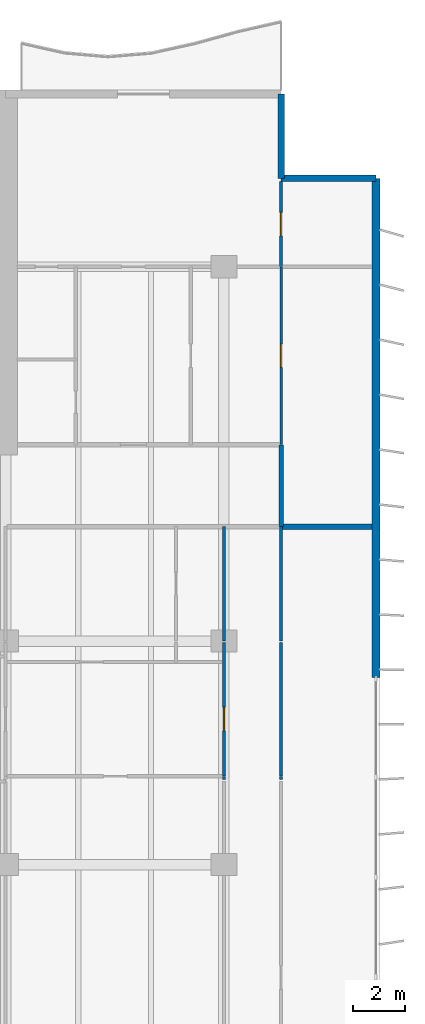
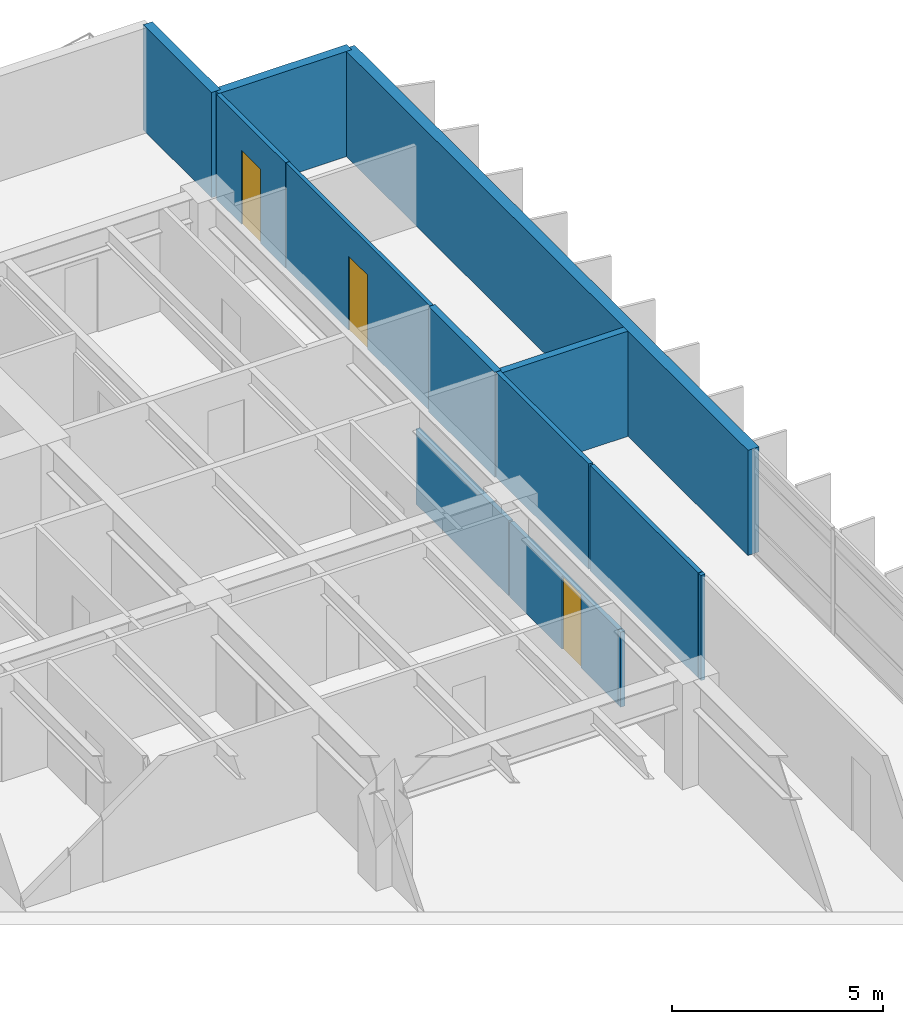
# One storey, part 14 of 19: 13 walls, 3 doors, 3 openings.
"""IFC4 building model written with IfcOpenShell, lengths in metres."""

from ifc_helpers import new_model, si_unit, direction, frame, frame_2d, origin, place, context, subcontext, project, spatial, rectangle, extrude, material, layer, layer_set, type_object, element, fill, save


model = new_model("IFC4")

# Units and contexts
model_context = context("Model", 3, precision=1e-05, world=origin(), true_north=direction((0.0, 1.0)))
body_context = subcontext(model_context, "Body", "Model", "MODEL_VIEW")
ifc_project = project(units=[si_unit("LENGTHUNIT", "METRE"), si_unit("AREAUNIT", "SQUARE_METRE"), si_unit("VOLUMEUNIT", "CUBIC_METRE"), si_unit("PLANEANGLEUNIT", "RADIAN"), si_unit("MASSUNIT", "GRAM", prefix="KILO")], contexts=[model_context])

# Site, building, storey
site_placement = place(None, origin())
site = spatial("IfcSite", under=ifc_project, at=site_placement, CompositionType="ELEMENT")
building_placement = place(site_placement, origin())
building = spatial("IfcBuilding", under=site, at=building_placement, Name="Caelmar Bay Residences", CompositionType="ELEMENT")
storey_placement = place(building_placement, frame((0.0, 0.0, 91.199951171875)))
storey = spatial("IfcBuildingStorey", under=building, at=storey_placement, Name="L24", CompositionType="ELEMENT", Elevation=91.199951171875)

# Walls
ifc_material_1 = material(Name="Double-stud acoustic fire-rated gypsum partition 180 mm")
ifc_layer_1 = layer(ifc_material_1, 0.179931640625)
ifc_layer_set_1 = layer_set([ifc_layer_1], Name="Double-stud acoustic fire-rated gypsum partition 180 mm")
wall_type_1 = type_object("IfcWallType", Name="W-COR-200", PredefinedType="PARTITIONING", material=ifc_layer_set_1)
wall_1_placement = place(storey_placement, frame((70.10009765625, 33.804931640625, 0.0), z_axis=(0.0, 0.0, 1.0), x_axis=(0.0, 1.0, 0.0)))
element("IfcWall", 1, at=wall_1_placement, inside=storey, type_object=wall_type_1, Name="L24 Partition Wall V096", PredefinedType="PARTITIONING", context=body_context, shape_type="SweptSolid", body=[
    extrude(rectangle(XDim=3.14501953125, YDim=0.179931640625, at=frame_2d((1.572509765625, 0.0))), origin(), (0.0, 0.0, 1.0), 3.050048828125),
])
ifc_material_2 = material(Name="Precast concrete f'c 40 MPa (6,000 psi)", Category="concrete")
ifc_layer_2 = layer(ifc_material_2, 0.25)
ifc_layer_set_2 = layer_set([ifc_layer_2], Name="Precast concrete f'c 40 MPa (6,000 psi)")
wall_type_2 = type_object("IfcWallType", Name="W-EXT-250", PredefinedType="ELEMENTEDWALL", material=ifc_layer_set_2)
wall_2_placement = place(storey_placement, frame((70.10009765625, 50.449951171875, 0.0), z_axis=(0.0, 0.0, 1.0), x_axis=(0.0, -1.0, 0.0)))
element("IfcWall", 2, at=wall_2_placement, inside=storey, type_object=wall_type_2, Name="L24 NNE-V Notch Wall", PredefinedType="ELEMENTEDWALL", context=body_context, shape_type="SweptSolid", body=[
    extrude(rectangle(XDim=3.25, YDim=0.25, at=frame_2d((1.625, 0.0))), origin(), (0.0, 0.0, 1.0), 3.050048828125),
])
wall_3_placement = place(storey_placement, frame((70.10009765625, 47.199951171875, 0.0), z_axis=(0.0, 0.0, 1.0), x_axis=(1.0, 0.0, 0.0)))
element("IfcWall", 3, at=wall_3_placement, inside=storey, type_object=wall_type_2, Name="L24 NNE-H Notch Wall", PredefinedType="ELEMENTEDWALL", context=body_context, shape_type="SweptSolid", body=[
    extrude(rectangle(XDim=3.64990234375, YDim=0.25, at=frame_2d((1.824951171875, 0.0))), origin(), (0.0, 0.0, 1.0), 3.050048828125),
])
ifc_layer_3 = layer(ifc_material_2, 0.300048828125)
ifc_layer_set_3 = layer_set([ifc_layer_3], Name="Precast concrete f'c 40 MPa (6,000 psi)")
wall_type_3 = type_object("IfcWallType", Name="W-EXT-300", PredefinedType="STANDARD", material=ifc_layer_set_3)
wall_4_placement = place(storey_placement, frame((73.75, 47.199951171875, 0.0), z_axis=(0.0, 0.0, 1.0), x_axis=(0.0, -1.0, 0.0)))
element("IfcWall", 4, at=wall_4_placement, inside=storey, type_object=wall_type_3, Name="L24 East Rear Exterior Wall", PredefinedType="STANDARD", context=body_context, shape_type="SweptSolid", body=[
    extrude(rectangle(XDim=19.199951171875, YDim=0.300048828125, at=frame_2d((9.60009765625, 0.0))), origin(), (0.0, 0.0, 1.0), 3.050048828125),
])

# Wall, opening, door
ifc_material_3 = material(Name="Anodised bronze framed acoustic sliding study partition 100 mm")
ifc_layer_4 = layer(ifc_material_3, 0.10009765625)
ifc_layer_set_4 = layer_set([ifc_layer_4], Name="Anodised bronze framed acoustic sliding study partition 100 mm")
wall_type_4 = type_object("IfcWallType", Name="W-MOV-100", PredefinedType="MOVABLE", material=ifc_layer_set_4)
wall_5_placement = place(storey_placement, frame((70.10009765625, 36.955078125, 0.0), z_axis=(0.0, 0.0, 1.0), x_axis=(0.0, 1.0, 0.0)))
wall_5 = element("IfcWall", 5, at=wall_5_placement, inside=storey, type_object=wall_type_4, Name="L24 Partition Wall V097", PredefinedType="MOVABLE", context=body_context, shape_type="SweptSolid", body=[
    extrude(rectangle(XDim=6.844970703125, YDim=0.10009765625, at=frame_2d((3.42236328125, 0.0))), origin(), (0.0, 0.0, 1.0), 3.050048828125),
])
opening_1_placement = place(wall_5_placement, frame((2.972412109375, 0.0, 0.0)))
opening_1 = element("IfcOpeningElement", 6, at=opening_1_placement, cuts=wall_5, Name="Opening D-L24-176", PredefinedType="OPENING", context=body_context, shape_type="SweptSolid", body=[
    extrude(rectangle(XDim=0.89990234375, YDim=2.14990234375, at=frame_2d((0.449951171875, 1.074951171875))), frame((0.0, 0.06005859375, 0.0), z_axis=(0.0, -1.0, 0.0), x_axis=(1.0, 0.0, 0.0)), (0.0, 0.0, 1.0), 0.1201171875),
])
ifc_material_4 = material(Name="Solid walnut timber interior door leaf and frame", Category="wood")
ifc_layer_5 = layer(ifc_material_4, 0.050048828125)
ifc_layer_set_5 = layer_set([ifc_layer_5], Name="Solid walnut timber interior door leaf and frame")
door_type = type_object("IfcDoorType", Name="D-ROOM-900", OperationType="NOTDEFINED", PredefinedType="DOOR", material=ifc_layer_set_5)
door_1_placement = place(opening_1_placement, origin())
door_1 = element("IfcDoor", 7, at=door_1_placement, inside=storey, type_object=door_type, Name="L24 Residence EA Sun Study Door", OperationType="SINGLE_SWING_LEFT", OverallHeight=2.14990234375, OverallWidth=0.89990234375, PredefinedType="DOOR", context=body_context, shape_type="SweptSolid", body=[
    extrude(rectangle(XDim=0.89990234375, YDim=2.14990234375, at=frame_2d((0.449951171875, 1.074951171875))), frame((0.0, 0.02490234375, 0.0), z_axis=(0.0, -1.0, 0.0), x_axis=(1.0, 0.0, 0.0)), (0.0, 0.0, 1.0), 0.050048828125),
])
fill(opening_1, door_1)

# Wall
ifc_material_5 = material(Name="Acoustic metal-stud gypsum partition 120 mm")
ifc_layer_6 = layer(ifc_material_5, 0.1201171875)
ifc_layer_set_6 = layer_set([ifc_layer_6], Name="Acoustic metal-stud gypsum partition 120 mm")
wall_type_5 = type_object("IfcWallType", Name="W-PRT-120", PredefinedType="PARTITIONING", material=ifc_layer_set_6)
wall_6_placement = place(storey_placement, frame((67.89990234375, 24.070068359375, 0.0), z_axis=(0.0, 0.0, 1.0), x_axis=(0.0, 1.0, 0.0)))
element("IfcWall", 8, at=wall_6_placement, inside=storey, type_object=wall_type_5, Name="L24 Partition Wall V089", PredefinedType="PARTITIONING", context=body_context, shape_type="SweptSolid", body=[
    extrude(rectangle(XDim=0.119873046875, YDim=0.1201171875, at=frame_2d((0.06005859375, 0.0))), origin(), (0.0, 0.0, 1.0), 2.174072265625),
])

# Wall, opening, door
wall_7_placement = place(storey_placement, frame((67.89990234375, 24.199951171875, 0.0), z_axis=(0.0, 0.0, 1.0), x_axis=(0.0, 1.0, 0.0)))
wall_7 = element("IfcWall", 9, at=wall_7_placement, inside=storey, type_object=wall_type_5, Name="L24 Partition Wall V090", PredefinedType="PARTITIONING", context=body_context, shape_type="SweptSolid", body=[
    extrude(rectangle(XDim=5.14013671875, YDim=0.1201171875, at=frame_2d((2.570068359375, 0.0))), origin(), (0.0, 0.0, 1.0), 2.174072265625),
])
opening_2_placement = place(wall_7_placement, frame((1.75, 0.0, 0.0)))
opening_2 = element("IfcOpeningElement", 10, at=opening_2_placement, cuts=wall_7, Name="Opening D-L24-161", PredefinedType="OPENING", context=body_context, shape_type="SweptSolid", body=[
    extrude(rectangle(XDim=0.89990234375, YDim=2.1240234375, at=frame_2d((0.449951171875, 1.06201171875))), frame((0.0, 0.070068359375, 0.0), z_axis=(0.0, -1.0, 0.0), x_axis=(1.0, 0.0, 0.0)), (0.0, 0.0, 1.0), 0.14013671875),
])
door_2_placement = place(opening_2_placement, origin())
door_2 = element("IfcDoor", 11, at=door_2_placement, inside=storey, type_object=door_type, Name="L24 Residence 05 East Apartment Hall Door", OperationType="SINGLE_SWING_RIGHT", OverallHeight=2.1240234375, OverallWidth=0.89990234375, PredefinedType="DOOR", context=body_context, shape_type="SweptSolid", body=[
    extrude(rectangle(XDim=0.89990234375, YDim=2.1240234375, at=frame_2d((0.449951171875, 1.06201171875))), frame((0.0, 0.02490234375, 0.0), z_axis=(0.0, -1.0, 0.0), x_axis=(1.0, 0.0, 0.0)), (0.0, 0.0, 1.0), 0.050048828125),
])
fill(opening_2, door_2)

# Walls
wall_8_placement = place(storey_placement, frame((67.89990234375, 29.39990234375, 0.0), z_axis=(0.0, 0.0, 1.0), x_axis=(0.0, 1.0, 0.0)))
element("IfcWall", 12, at=wall_8_placement, inside=storey, type_object=wall_type_5, Name="L24 Partition Wall V091", PredefinedType="PARTITIONING", context=body_context, shape_type="SweptSolid", body=[
    extrude(rectangle(XDim=4.400146484375, YDim=0.1201171875, at=frame_2d((2.2001953125, 0.0))), origin(), (0.0, 0.0, 1.0), 2.174072265625),
])
wall_9_placement = place(storey_placement, frame((70.10009765625, 24.070068359375, 0.0), z_axis=(0.0, 0.0, 1.0), x_axis=(0.0, 1.0, 0.0)))
element("IfcWall", 13, at=wall_9_placement, inside=storey, type_object=wall_type_5, Name="L24 Partition Wall V093", PredefinedType="PARTITIONING", context=body_context, shape_type="SweptSolid", body=[
    extrude(rectangle(XDim=0.119873046875, YDim=0.1201171875, at=frame_2d((0.06005859375, 0.0))), origin(), (0.0, 0.0, 1.0), 3.050048828125),
])
wall_10_placement = place(storey_placement, frame((70.10009765625, 24.199951171875, 0.0), z_axis=(0.0, 0.0, 1.0), x_axis=(0.0, 1.0, 0.0)))
element("IfcWall", 14, at=wall_10_placement, inside=storey, type_object=wall_type_5, Name="L24 Partition Wall V094", PredefinedType="PARTITIONING", context=body_context, shape_type="SweptSolid", body=[
    extrude(rectangle(XDim=5.14013671875, YDim=0.1201171875, at=frame_2d((2.570068359375, 0.0))), origin(), (0.0, 0.0, 1.0), 3.050048828125),
])
wall_11_placement = place(storey_placement, frame((70.10009765625, 29.39990234375, 0.0), z_axis=(0.0, 0.0, 1.0), x_axis=(0.0, 1.0, 0.0)))
element("IfcWall", 15, at=wall_11_placement, inside=storey, type_object=wall_type_5, Name="L24 Partition Wall V095", PredefinedType="PARTITIONING", context=body_context, shape_type="SweptSolid", body=[
    extrude(rectangle(XDim=4.400146484375, YDim=0.1201171875, at=frame_2d((2.2001953125, 0.0))), origin(), (0.0, 0.0, 1.0), 3.050048828125),
])

# Wall, opening, door
wall_12_placement = place(storey_placement, frame((70.10009765625, 43.804931640625, 0.0), z_axis=(0.0, 0.0, 1.0), x_axis=(0.0, 1.0, 0.0)))
wall_12 = element("IfcWall", 16, at=wall_12_placement, inside=storey, type_object=wall_type_5, Name="L24 Partition Wall V098", PredefinedType="PARTITIONING", context=body_context, shape_type="SweptSolid", body=[
    extrude(rectangle(XDim=3.275146484375, YDim=0.1201171875, at=frame_2d((1.6376953125, 0.0))), origin(), (0.0, 0.0, 1.0), 3.050048828125),
])
opening_3_placement = place(wall_12_placement, frame((1.1875, 0.0, 0.0)))
opening_3 = element("IfcOpeningElement", 17, at=opening_3_placement, cuts=wall_12, Name="Opening D-L24-177", PredefinedType="OPENING", context=body_context, shape_type="SweptSolid", body=[
    extrude(rectangle(XDim=0.89990234375, YDim=2.14990234375, at=frame_2d((0.449951171875, 1.074951171875))), frame((0.0, 0.070068359375, 0.0), z_axis=(0.0, -1.0, 0.0), x_axis=(1.0, 0.0, 0.0)), (0.0, 0.0, 1.0), 0.14013671875),
])
door_3_placement = place(opening_3_placement, origin())
door_3 = element("IfcDoor", 18, at=door_3_placement, inside=storey, type_object=door_type, Name="L24 Residence EA North Sitting Alcove Door", OperationType="SINGLE_SWING_RIGHT", OverallHeight=2.14990234375, OverallWidth=0.89990234375, PredefinedType="DOOR", context=body_context, shape_type="SweptSolid", body=[
    extrude(rectangle(XDim=0.89990234375, YDim=2.14990234375, at=frame_2d((0.449951171875, 1.074951171875))), frame((0.0, 0.02490234375, 0.0), z_axis=(0.0, -1.0, 0.0), x_axis=(1.0, 0.0, 0.0)), (0.0, 0.0, 1.0), 0.050048828125),
])
fill(opening_3, door_3)

# Wall
ifc_material_6 = material(Name="Acoustic twin-stud fire-rated inter-tenancy partition 200 mm")
ifc_layer_7 = layer(ifc_material_6, 0.199951171875)
ifc_layer_set_7 = layer_set([ifc_layer_7], Name="Acoustic twin-stud fire-rated inter-tenancy partition 200 mm")
wall_type_6 = type_object("IfcWallType", Name="W-PTY-200", PredefinedType="PARTITIONING", material=ifc_layer_set_7)
wall_13_placement = place(storey_placement, frame((70.10498046875, 33.800048828125, 0.0), z_axis=(0.0, 0.0, 1.0), x_axis=(1.0, 0.0, 0.0)))
element("IfcWall", 19, at=wall_13_placement, inside=storey, type_object=wall_type_6, Name="L24 Partition Wall H122", PredefinedType="PARTITIONING", context=body_context, shape_type="SweptSolid", body=[
    extrude(rectangle(XDim=3.5, YDim=0.199951171875, at=frame_2d((1.75, 0.0))), origin(), (0.0, 0.0, 1.0), 3.050048828125),
])

save(model, "model.ifc")
